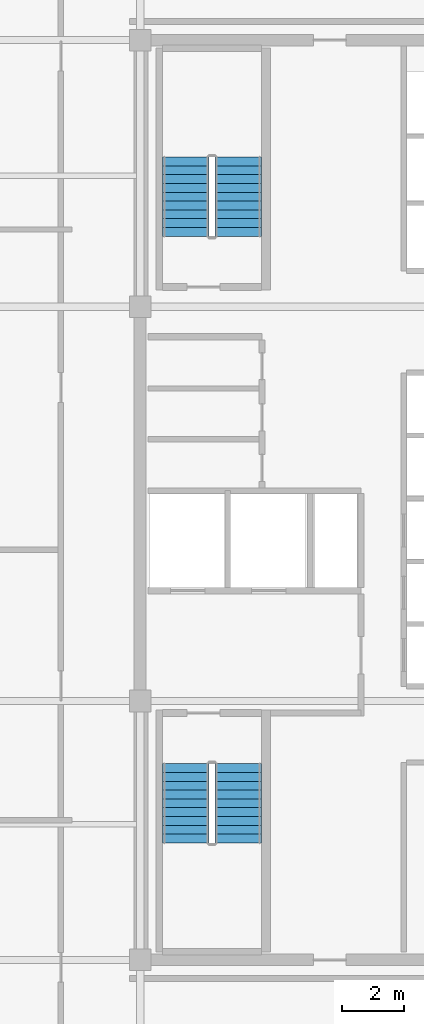
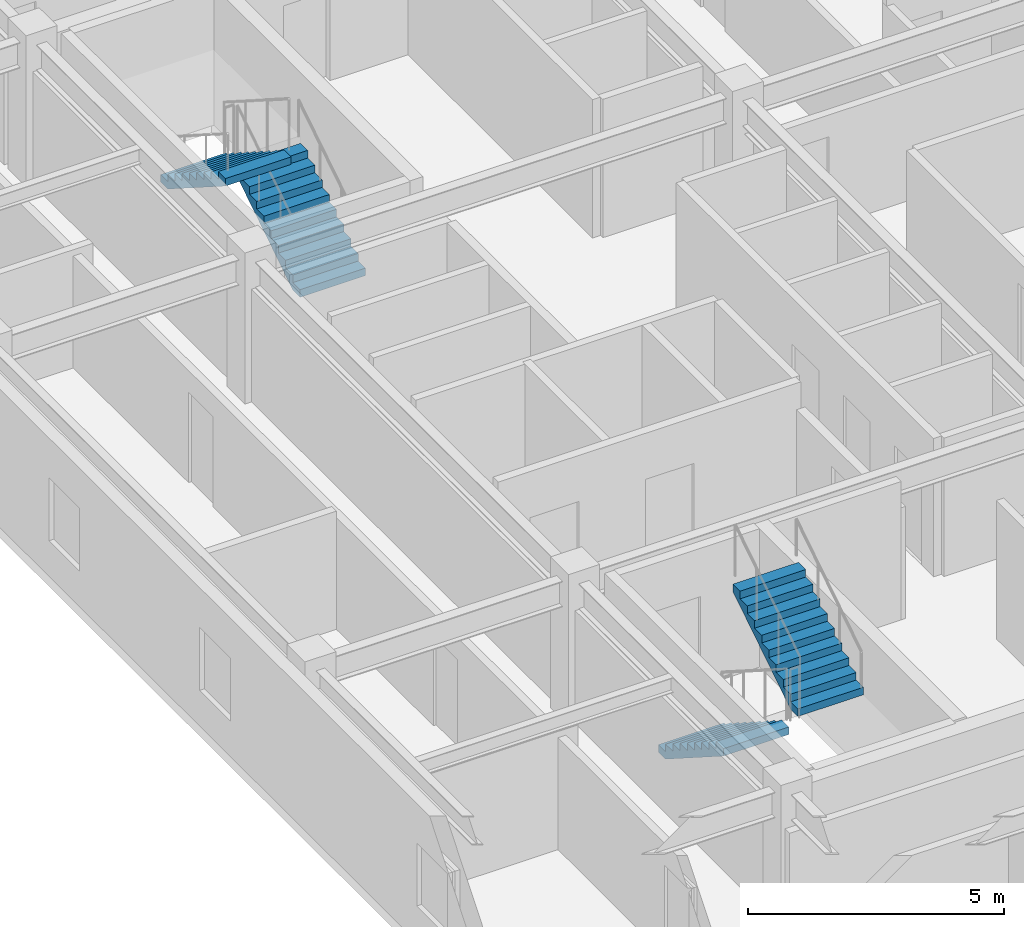
# One storey, part 7 of 8: 4 stair flights, 2 elements without a shape of their own.
"""IFC4 building model written with IfcOpenShell, lengths in metres."""

from ifc_helpers import new_model, si_unit, direction, frame, origin, place, context, subcontext, project, spatial, polyline, outline, extrude, material, type_object, element, aggregate, save


model = new_model("IFC4")

# Units and contexts
model_context = context("Model", 3, precision=1e-05, world=origin(), true_north=direction((0.0, 1.0)))
body_context = subcontext(model_context, "Body", "Model", "MODEL_VIEW")
ifc_project = project(units=[si_unit("LENGTHUNIT", "METRE"), si_unit("AREAUNIT", "SQUARE_METRE"), si_unit("VOLUMEUNIT", "CUBIC_METRE"), si_unit("PLANEANGLEUNIT", "RADIAN"), si_unit("MASSUNIT", "GRAM", prefix="KILO")], contexts=[model_context])

# Site, building, storey
site_placement = place(None, origin())
site = spatial("IfcSite", under=ifc_project, at=site_placement, CompositionType="ELEMENT")
building_placement = place(site_placement, origin())
building = spatial("IfcBuilding", under=site, at=building_placement, Name="Ochreholt Gables", CompositionType="ELEMENT")
storey_placement = place(building_placement, frame((0.0, 0.0, 196.199951171875)))
storey = spatial("IfcBuildingStorey", under=building, at=storey_placement, Name="L51", CompositionType="ELEMENT", Elevation=196.199951171875)

# Stair, stair flights
ifc_material = material(Name="Concrete 40 MPa", Category="concrete")
stair_type_1 = type_object("IfcStairType", Name="STAIR-CORE-ST-1", PredefinedType="HALF_TURN_STAIR", material=ifc_material)
stair_1_placement = place(storey_placement, origin())
stair_1 = element("IfcStair", 1, at=stair_1_placement, inside=storey, type_object=stair_type_1, Name="L51 Core Exit Stair 1", PredefinedType="HALF_TURN_STAIR")
stair_flight_type = type_object("IfcStairFlightType", Name="FLIGHT-ST-1480-1800", PredefinedType="STRAIGHT", material=ifc_material)
stair_flight_1_placement = place(storey_placement, frame((25.659912109375, 15.5400390625, 0.0), z_axis=(0.0, 0.0, 1.0), x_axis=(0.0, -1.0, 0.0)))
stair_flight_1 = element("IfcStairFlight", 2, at=stair_flight_1_placement, type_object=stair_flight_type, Name="ST-1 flight 1", NumberOfRisers=10, NumberOfTreads=9, PredefinedType="STRAIGHT", RiserHeight=0.18, TreadLength=0.282, context=body_context, shape_type="SweptSolid", body=[
    extrude(outline(polyline([(0.0, 0.0), (0.0, 0.179931640625), (0.281982421875, 0.179931640625), (0.281982421875, 0.360107421875), (0.56396484375, 0.360107421875), (0.56396484375, 0.5400390625), (0.845947265625, 0.5400390625), (0.845947265625, 0.719970703125), (1.1279296875, 0.719970703125), (1.1279296875, 0.89990234375), (1.409912109375, 0.89990234375), (1.409912109375, 1.080078125), (1.69189453125, 1.080078125), (1.69189453125, 1.260009765625), (1.97412109375, 1.260009765625), (1.97412109375, 1.43994140625), (2.256103515625, 1.43994140625), (2.256103515625, 1.6201171875), (2.5380859375, 1.6201171875), (2.5380859375, 1.800048828125), (2.5380859375, 1.442138671875), (0.278564453125, 0.0), (0.0, 0.0)])), frame((0.0, 0.739990234375, 0.0), z_axis=(0.0, -1.0, 0.0), x_axis=(1.0, 0.0, 0.0)), (0.0, 0.0, 1.0), 1.47998046875),
])
stair_flight_2_placement = place(storey_placement, frame((27.340087890625, 13.001953125, 1.800048828125), z_axis=(0.0, 0.0, 1.0), x_axis=(0.0, 1.0, 0.0)))
stair_flight_2 = element("IfcStairFlight", 3, at=stair_flight_2_placement, type_object=stair_flight_type, Name="ST-1 flight 2", NumberOfRisers=10, NumberOfTreads=9, PredefinedType="STRAIGHT", RiserHeight=0.18, TreadLength=0.282, context=body_context, shape_type="SweptSolid", body=[
    extrude(outline(polyline([(0.0, 0.0), (0.0, 0.179931640625), (0.281982421875, 0.179931640625), (0.281982421875, 0.360107421875), (0.56396484375, 0.360107421875), (0.56396484375, 0.5400390625), (0.845947265625, 0.5400390625), (0.845947265625, 0.719970703125), (1.1279296875, 0.719970703125), (1.1279296875, 0.89990234375), (1.409912109375, 0.89990234375), (1.409912109375, 1.080078125), (1.69189453125, 1.080078125), (1.69189453125, 1.260009765625), (1.97412109375, 1.260009765625), (1.97412109375, 1.43994140625), (2.256103515625, 1.43994140625), (2.256103515625, 1.6201171875), (2.5380859375, 1.6201171875), (2.5380859375, 1.800048828125), (2.5380859375, 1.442138671875), (0.278564453125, 0.0), (0.0, 0.0)])), frame((0.0, 0.739990234375, 0.0), z_axis=(0.0, -1.0, 0.0), x_axis=(1.0, 0.0, 0.0)), (0.0, 0.0, 1.0), 1.47998046875),
])
aggregate(stair_1, [stair_flight_1, stair_flight_2])

stair_type_2 = type_object("IfcStairType", Name="STAIR-CORE-ST-2", PredefinedType="HALF_TURN_STAIR", material=ifc_material)
stair_2_placement = place(storey_placement, origin())
stair_2 = element("IfcStair", 4, at=stair_2_placement, inside=storey, type_object=stair_type_2, Name="L51 Core Exit Stair 2", PredefinedType="HALF_TURN_STAIR")
stair_flight_3_placement = place(storey_placement, frame((27.340087890625, 32.4599609375, 0.0), z_axis=(0.0, 0.0, 1.0), x_axis=(0.0, 1.0, 0.0)))
stair_flight_3 = element("IfcStairFlight", 5, at=stair_flight_3_placement, type_object=stair_flight_type, Name="ST-2 flight 1", NumberOfRisers=10, NumberOfTreads=9, PredefinedType="STRAIGHT", RiserHeight=0.18, TreadLength=0.282, context=body_context, shape_type="SweptSolid", body=[
    extrude(outline(polyline([(0.0, 0.0), (0.0, 0.179931640625), (0.281982421875, 0.179931640625), (0.281982421875, 0.360107421875), (0.56396484375, 0.360107421875), (0.56396484375, 0.5400390625), (0.845947265625, 0.5400390625), (0.845947265625, 0.719970703125), (1.1279296875, 0.719970703125), (1.1279296875, 0.89990234375), (1.409912109375, 0.89990234375), (1.409912109375, 1.080078125), (1.69189453125, 1.080078125), (1.69189453125, 1.260009765625), (1.97412109375, 1.260009765625), (1.97412109375, 1.43994140625), (2.256103515625, 1.43994140625), (2.256103515625, 1.6201171875), (2.5380859375, 1.6201171875), (2.5380859375, 1.800048828125), (2.5380859375, 1.442138671875), (0.278564453125, 0.0), (0.0, 0.0)])), frame((0.0, 0.739990234375, 0.0), z_axis=(0.0, -1.0, 0.0), x_axis=(1.0, 0.0, 0.0)), (0.0, 0.0, 1.0), 1.47998046875),
])
stair_flight_4_placement = place(storey_placement, frame((25.659912109375, 34.998046875, 1.800048828125), z_axis=(0.0, 0.0, 1.0), x_axis=(0.0, -1.0, 0.0)))
stair_flight_4 = element("IfcStairFlight", 6, at=stair_flight_4_placement, type_object=stair_flight_type, Name="ST-2 flight 2", NumberOfRisers=10, NumberOfTreads=9, PredefinedType="STRAIGHT", RiserHeight=0.18, TreadLength=0.282, context=body_context, shape_type="SweptSolid", body=[
    extrude(outline(polyline([(0.0, 0.0), (0.0, 0.179931640625), (0.281982421875, 0.179931640625), (0.281982421875, 0.360107421875), (0.56396484375, 0.360107421875), (0.56396484375, 0.5400390625), (0.845947265625, 0.5400390625), (0.845947265625, 0.719970703125), (1.1279296875, 0.719970703125), (1.1279296875, 0.89990234375), (1.409912109375, 0.89990234375), (1.409912109375, 1.080078125), (1.69189453125, 1.080078125), (1.69189453125, 1.260009765625), (1.97412109375, 1.260009765625), (1.97412109375, 1.43994140625), (2.256103515625, 1.43994140625), (2.256103515625, 1.6201171875), (2.5380859375, 1.6201171875), (2.5380859375, 1.800048828125), (2.5380859375, 1.442138671875), (0.278564453125, 0.0), (0.0, 0.0)])), frame((0.0, 0.739990234375, 0.0), z_axis=(0.0, -1.0, 0.0), x_axis=(1.0, 0.0, 0.0)), (0.0, 0.0, 1.0), 1.47998046875),
])
aggregate(stair_2, [stair_flight_3, stair_flight_4])

save(model, "model.ifc")
